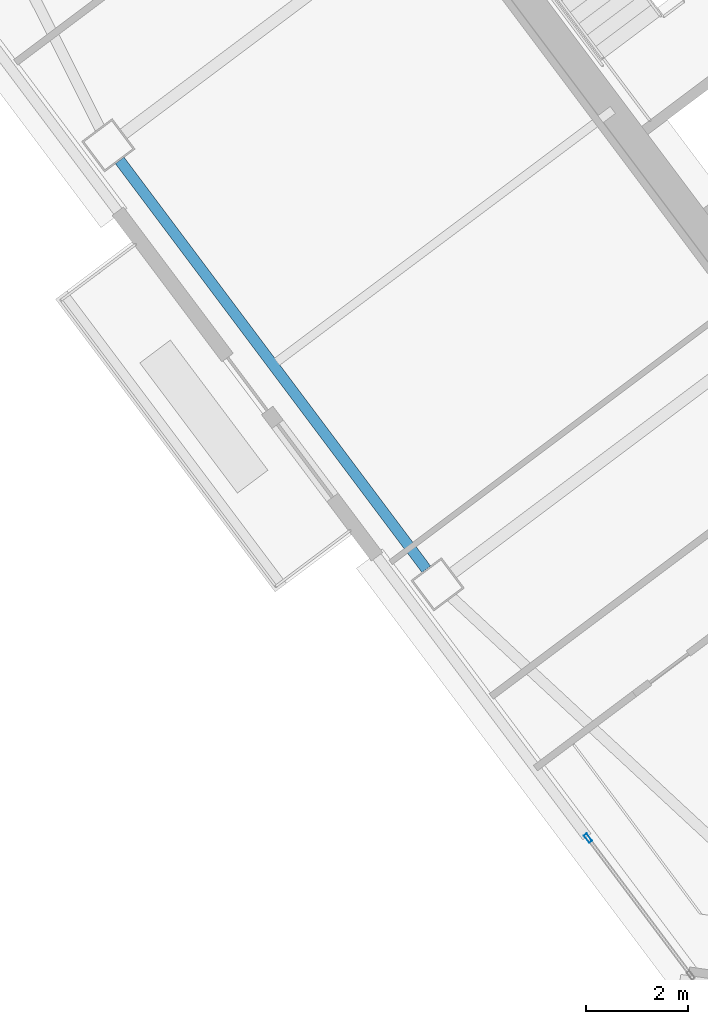
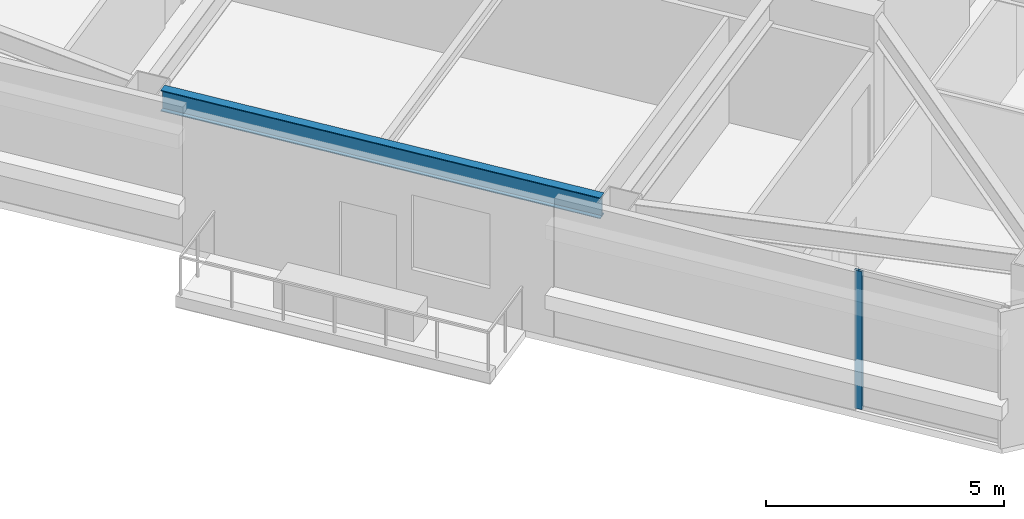
# One storey, part 15 of 41: 1 beam, 1 member, 1 element without a shape of its own.
"""IFC4 building model written with IfcOpenShell, lengths in metres."""

from ifc_helpers import new_model, si_unit, direction, frame, origin, origin_2d, place, context, subcontext, project, spatial, hollow_rectangle, i_section, extrude, material, material_profile, profile_set, type_object, element, aggregate, save


model = new_model("IFC4")

# Units and contexts
model_context = context("Model", 3, precision=1e-05, world=origin(), true_north=direction((0.0, 1.0)))
body_context = subcontext(model_context, "Body", "Model", "MODEL_VIEW")
ifc_project = project(units=[si_unit("LENGTHUNIT", "METRE"), si_unit("AREAUNIT", "SQUARE_METRE"), si_unit("VOLUMEUNIT", "CUBIC_METRE"), si_unit("PLANEANGLEUNIT", "RADIAN"), si_unit("MASSUNIT", "GRAM", prefix="KILO")], contexts=[model_context])

# Site, building, storey
site_placement = place(None, origin())
site = spatial("IfcSite", under=ifc_project, at=site_placement, CompositionType="ELEMENT")
building_placement = place(site_placement, origin())
building = spatial("IfcBuilding", under=site, at=building_placement, Name="Tashvorn Skyway Center", CompositionType="ELEMENT")
storey_placement = place(building_placement, frame((0.0, 0.0, 174.75)))
storey = spatial("IfcBuildingStorey", under=building, at=storey_placement, Name="L47", CompositionType="ELEMENT", Elevation=174.75)

# Beam
ifc_material_1 = material(Name="Steel ASTM A992 Grade 50", Category="steel")
ifc_material_profile_1 = material_profile(ifc_material_1, i_section(OverallWidth=0.2109375, OverallDepth=0.5390625, WebThickness=0.01171875, FlangeThickness=0.018798828125, at=origin_2d()), Name="W21X73")
ifc_profile_set_1 = profile_set([ifc_material_profile_1], Name="Steel ASTM A992 Grade 50")
beam_type = type_object("IfcBeamType", Name="BM-SPANDREL-W21X73", PredefinedType="SPANDREL", material=ifc_profile_set_1)
beam_placement = place(storey_placement, frame((98.06201171875, 26.333984375, 3.1005859375), z_axis=(0.599988351091, -0.800008736549, 0.0), x_axis=(0.800008736549, 0.599988351091, 0.0)))
element("IfcBeam", 1, at=beam_placement, inside=storey, type_object=beam_type, Name="Tower 2 L47 Spandrel Beam 11", PredefinedType="SPANDREL", context=body_context, shape_type="SweptSolid", body=[
    extrude(i_section(OverallWidth=0.2109375, OverallDepth=0.5390625, WebThickness=0.01171875, FlangeThickness=0.018798828125, at=origin_2d()), origin(), (0.0, 0.0, 1.0), 10.06005859375),
])

# Curtain wall, member
ifc_material_2 = material(Name="Thermally broken bronze-anodized aluminium 6063-T6", Category="aluminium")
curtain_wall_type = type_object("IfcCurtainWallType", Name="CW-CW-Z4", PredefinedType="NOTDEFINED", material=ifc_material_2)
curtain_wall_placement = place(storey_placement, origin())
curtain_wall = element("IfcCurtainWall", 2, at=curtain_wall_placement, inside=storey, type_object=curtain_wall_type, Name="Tower 2 L47 West Curtain Wall L Glazing Group 1", PredefinedType="NOTDEFINED")
ifc_material_profile_2 = material_profile(ifc_material_2, hollow_rectangle(XDim=0.070068359375, YDim=0.179931640625, WallThickness=0.00390625, at=origin_2d()), Name="ALU-MULL-70x180")
ifc_profile_set_2 = profile_set([ifc_material_profile_2], Name="Thermally broken bronze-anodized aluminium 6063-T6")
member_type = type_object("IfcMemberType", Name="CWM-CW-Z4", PredefinedType="MULLION", material=ifc_profile_set_2)
member_placement = place(storey_placement, frame((107.279052734375, 12.99462890625, 0.0), z_axis=(0.0, 0.0, 1.0), x_axis=(-0.800003484954, -0.599995353367, 0.0)))
member = element("IfcMember", 3, at=member_placement, type_object=member_type, Name="CW-Z4 mullion 2", PredefinedType="MULLION", context=body_context, shape_type="SweptSolid", body=[
    extrude(hollow_rectangle(XDim=0.070068359375, YDim=0.179931640625, WallThickness=0.00390625, at=origin_2d()), origin(), (0.0, 0.0, 1.0), 3.550048828125),
])
aggregate(curtain_wall, [member])

save(model, "model.ifc")
